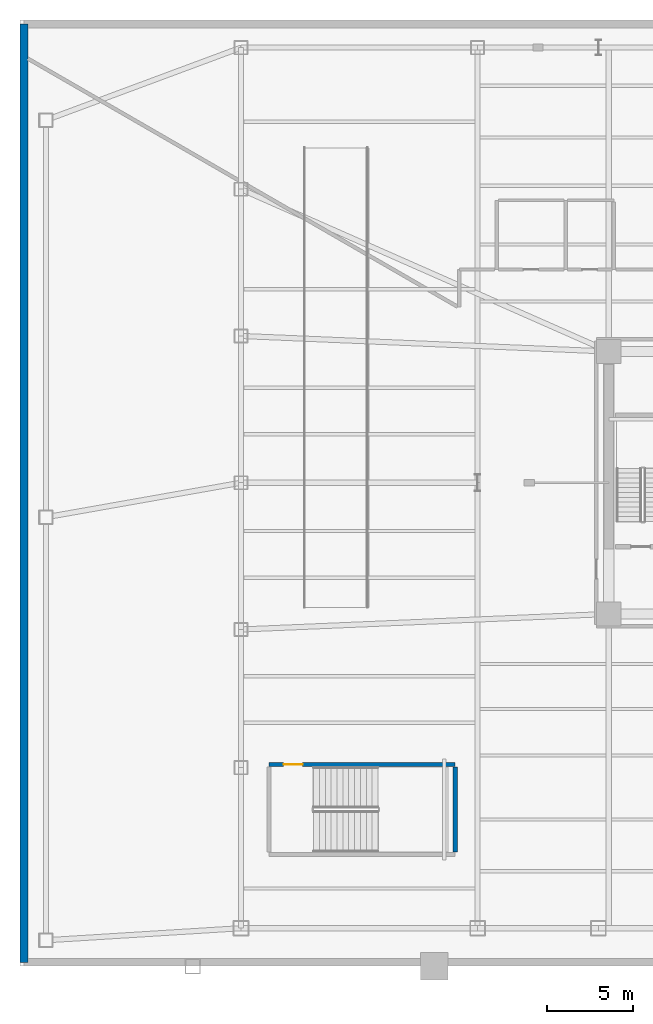
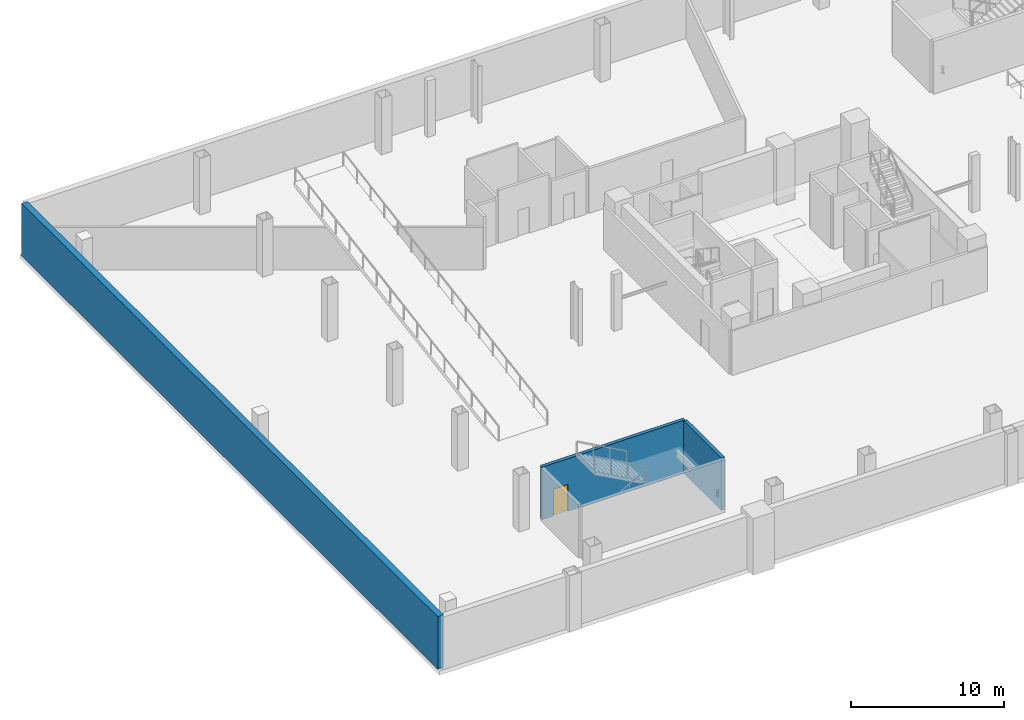
# One storey, part 5 of 14: 3 walls, 1 door, 1 opening.
"""IFC4 building model written with IfcOpenShell, lengths in metres."""

import ifcopenshell
import ifcopenshell.guid

model = None  # the IFC model being written
_history = None  # IfcOwnerHistory: only IFC2X3 demands one
_inside = {}  # id of a spatial element -> (the spatial element, [elements in it])
_under = {}  # id of a project, library or spatial element -> (it, [spatial elements below it])
_declared = {}  # id of a project -> (the project, [libraries it declares])
_typed = {}  # id of a type object -> (the type object, [elements of that type])
_made_of = {}  # id of a material, layer set ... -> (it, [elements and type objects made of it])


def new_model(schema):
    """Start an empty IFC model of exactly this schema.

    Asked for "IFC4X3", IfcOpenShell would pick the latest addendum, in which some entities
    have other attributes; the version numbers below select the first issue.
    IFC2X3 requires an IfcOwnerHistory on every rooted entity: one is made here for all.
    """
    global model, _history
    if schema == "IFC4X3":
        model = ifcopenshell.file(schema_version=(4, 3, 0, 0))
    else:
        model = ifcopenshell.file(schema=schema)
    _inside.clear()
    _under.clear()
    _declared.clear()
    _typed.clear()
    _made_of.clear()
    _history = None
    if model.schema == "IFC2X3":
        org = make("IfcOrganization", Name="unknown")
        user = make(
            "IfcPersonAndOrganization",
            ThePerson=make("IfcPerson", FamilyName="unknown"),
            TheOrganization=org,
        )
        app = make(
            "IfcApplication",
            ApplicationDeveloper=org,
            Version="unknown",
            ApplicationFullName="unknown",
            ApplicationIdentifier="unknown",
        )
        _history = make(
            "IfcOwnerHistory",
            OwningUser=user,
            OwningApplication=app,
            ChangeAction="ADDED",
            CreationDate=0,
        )
    return model


def make(cls, **values):
    """One entity of the class cls with the attributes given. An attribute that is None is left unset."""
    return model.create_entity(
        cls, **{name: value for name, value in values.items() if value is not None}
    )


def rooted(cls, **values):
    """An entity with a GlobalId (a new one), such as an element, a storey or a relation."""
    return make(cls, GlobalId=ifcopenshell.guid.new(), OwnerHistory=_history, **values)


def si_unit(unit_type, name, prefix=None):
    """IfcSIUnit, for example si_unit("LENGTHUNIT", "METRE", prefix="MILLI")."""
    return make("IfcSIUnit", UnitType=unit_type, Prefix=prefix, Name=name)


def assignment(units):
    """IfcUnitAssignment: the units of a project."""
    return None if units is None else make("IfcUnitAssignment", Units=units)


def point(xyz):
    """IfcCartesianPoint."""
    return None if xyz is None else make("IfcCartesianPoint", Coordinates=xyz)


def direction(xyz):
    """IfcDirection."""
    return None if xyz is None else make("IfcDirection", DirectionRatios=xyz)


def frame(location, z_axis=None, x_axis=None):
    """IfcAxis2Placement3D, a coordinate frame: its origin and axes. An axis left out is left unset."""
    return make(
        "IfcAxis2Placement3D",
        Location=point(location),
        Axis=direction(z_axis),
        RefDirection=direction(x_axis),
    )


def frame_2d(location, x_axis=None):
    """IfcAxis2Placement2D, a coordinate frame in the plane: its origin and x axis."""
    return make(
        "IfcAxis2Placement2D", Location=point(location), RefDirection=direction(x_axis)
    )


def origin():
    """The frame at (0, 0, 0) with its axes left unset."""
    return frame((0.0, 0.0, 0.0))


def place(relative_to, where):
    """IfcLocalPlacement: puts the frame where relative to a parent placement (None: the world)."""
    return make(
        "IfcLocalPlacement", PlacementRelTo=relative_to, RelativePlacement=where
    )


def context(
    kind, dimensions, precision=None, world=None, true_north=None, identifier=None
):
    """IfcGeometricRepresentationContext, for example the 3D "Model" context."""
    return make(
        "IfcGeometricRepresentationContext",
        ContextIdentifier=identifier,
        ContextType=kind,
        CoordinateSpaceDimension=dimensions,
        Precision=precision,
        WorldCoordinateSystem=world,
        TrueNorth=true_north,
    )


def subcontext(parent, identifier, kind, view, scale=None):
    """IfcGeometricRepresentationSubContext, for example "Body" below "Model"."""
    return make(
        "IfcGeometricRepresentationSubContext",
        ContextIdentifier=identifier,
        ContextType=kind,
        ParentContext=parent,
        TargetScale=scale,
        TargetView=view,
    )


def project(units=None, contexts=None):
    """IfcProject with its units and contexts."""
    return rooted(
        "IfcProject",
        Name="project",
        RepresentationContexts=contexts,
        UnitsInContext=assignment(units),
    )


def spatial(cls, under=None, at=None, **own):
    """A site, building, storey or space (cls), placed at a placement, below another one or the project."""
    s = rooted(cls, ObjectPlacement=at, **own)
    if under is not None:
        _under.setdefault(under.id(), (under, []))[1].append(s)
    return s


def profile(cls, at=None, kind="AREA", **sizes):
    """A parametric profile (cls). Its sizes go by their IFC names, for example OverallWidth=200.0."""
    return make(cls, ProfileType=kind, Position=at, **sizes)


def rectangle(**sizes):
    """IfcRectangleProfileDef."""
    return profile("IfcRectangleProfileDef", **sizes)


def extrude(swept, where, along, depth):
    """IfcExtrudedAreaSolid: the profile swept, set in the frame where, extruded along a direction by depth."""
    return make(
        "IfcExtrudedAreaSolid",
        SweptArea=swept,
        Position=where,
        ExtrudedDirection=direction(along),
        Depth=depth,
    )


def shape(context_of_items, identifier, shape_type, items):
    """IfcShapeRepresentation: the items that make up one representation, for example the "Body"."""
    return make(
        "IfcShapeRepresentation",
        ContextOfItems=context_of_items,
        RepresentationIdentifier=identifier,
        RepresentationType=shape_type,
        Items=items,
    )


def material(Name=None, Category=None):
    """IfcMaterial."""
    return make("IfcMaterial", Name=Name, Category=Category)


def layer(
    of_material, thickness, ventilated=None, Name=None, Category=None, Priority=None
):
    """IfcMaterialLayer: one layer of a wall or slab, of a material (None: an air gap)."""
    return make(
        "IfcMaterialLayer",
        Material=of_material,
        LayerThickness=thickness,
        IsVentilated=ventilated,
        Name=Name,
        Category=Category,
        Priority=Priority,
    )


def layer_set(layers, Name=None):
    """IfcMaterialLayerSet."""
    return make("IfcMaterialLayerSet", MaterialLayers=layers, LayerSetName=Name)


def made_of(thing, what):
    """Note that an element or type object is made of a material, layer set ...; save() writes the relation."""
    if what is not None:
        _made_of.setdefault(what.id(), (what, []))[1].append(thing)
    return thing


def type_object(cls, material=None, **own):
    """A type object (cls), such as IfcWallType, which elements share."""
    return made_of(rooted(cls, **own), material)


def element(
    cls,
    number,
    at=None,
    inside=None,
    cuts=None,
    type_object=None,
    material=None,
    context=None,
    identifier="Body",
    shape_type=None,
    held_by="IfcProductDefinitionShape",
    body=None,
    shapes=None,
    **own,
):
    """One element of the class cls, such as IfcWall. Its Tag is "e" and its number.

    at: its placement. inside: the storey or other place that contains it. cuts: it is an
    opening in that element (IfcRelVoidsElement). A single representation is given by context,
    identifier, shape_type and body (its items); several are given by shapes. held_by: the class
    of the entity that holds the representations. save() writes the other relations.
    """
    e = rooted(cls, Tag="e%d" % number, ObjectPlacement=at, **own)
    if body is not None:
        shapes = [shape(context, identifier, shape_type, body)]
    if shapes is not None:
        e.Representation = make(held_by, Representations=shapes)
    if inside is not None:
        _inside.setdefault(inside.id(), (inside, []))[1].append(e)
    if cuts is not None:
        rooted(
            "IfcRelVoidsElement", RelatingBuildingElement=cuts, RelatedOpeningElement=e
        )
    if type_object is not None:
        _typed.setdefault(type_object.id(), (type_object, []))[1].append(e)
    return made_of(e, material)


def fill(opening, filler):
    """IfcRelFillsElement: the door or window that sits in an opening."""
    return rooted(
        "IfcRelFillsElement",
        RelatingOpeningElement=opening,
        RelatedBuildingElement=filler,
    )


def aggregate(whole, parts):
    """IfcRelAggregates: a whole, such as a stair, and the parts it consists of."""
    return rooted("IfcRelAggregates", RelatingObject=whole, RelatedObjects=parts)


def save(model, path):
    """Write the relations noted so far, then the file.

    IfcRelAggregates (storeys below a building ...), IfcRelContainedInSpatialStructure (elements
    in a storey), IfcRelDefinesByType, IfcRelAssociatesMaterial and IfcRelDeclares: one each for
    every whole, place, type object, material and project.
    """
    for whole, parts in _under.values():
        aggregate(whole, parts)
    for where, things in _inside.values():
        rooted(
            "IfcRelContainedInSpatialStructure",
            RelatedElements=things,
            RelatingStructure=where,
        )
    for kind, things in _typed.values():
        rooted("IfcRelDefinesByType", RelatedObjects=things, RelatingType=kind)
    for what, things in _made_of.values():
        rooted("IfcRelAssociatesMaterial", RelatedObjects=things, RelatingMaterial=what)
    for by, libraries in _declared.values():
        rooted("IfcRelDeclares", RelatingContext=by, RelatedDefinitions=libraries)
    model.write(path)


model = new_model("IFC4")

# Units and contexts
model_context = context("Model", 3, precision=1e-05, world=origin(), true_north=direction((0.0, 1.0)))
body_context = subcontext(model_context, "Body", "Model", "MODEL_VIEW")
ifc_project = project(units=[si_unit("LENGTHUNIT", "METRE"), si_unit("AREAUNIT", "SQUARE_METRE"), si_unit("VOLUMEUNIT", "CUBIC_METRE"), si_unit("PLANEANGLEUNIT", "RADIAN"), si_unit("MASSUNIT", "GRAM", prefix="KILO")], contexts=[model_context])

# Site, building, storey
site_placement = place(None, origin())
site = spatial("IfcSite", under=ifc_project, at=site_placement, CompositionType="ELEMENT")
building_placement = place(site_placement, origin())
building = spatial("IfcBuilding", under=site, at=building_placement, Name="Tharavind Bronze Gate", CompositionType="ELEMENT")
storey_placement = place(building_placement, frame((0.0, 0.0, -4.5)))
storey = spatial("IfcBuildingStorey", under=building, at=storey_placement, Name="B01", CompositionType="ELEMENT", Elevation=-4.5)

# Wall
ifc_material_1 = material(Name="Concrete C50/60", Category="concrete")
ifc_layer_1 = layer(ifc_material_1, 0.449951171875)
ifc_layer_set_1 = layer_set([ifc_layer_1], Name="Concrete C50/60")
wall_type_1 = type_object("IfcWallType", Name="BASEMENT RETAINING WALL 450", PredefinedType="STANDARD", material=ifc_layer_set_1)
wall_1_placement = place(storey_placement, frame((-42.77490234375, 26.574951171875, 0.0), z_axis=(0.0, 0.0, 1.0), x_axis=(0.0, -1.0, 0.0)))
element("IfcWall", 1, at=wall_1_placement, inside=storey, type_object=wall_type_1, Name="B01 perimeter retaining wall 4", PredefinedType="STANDARD", context=body_context, shape_type="SweptSolid", body=[
    extrude(rectangle(XDim=54.349853515625, YDim=0.449951171875, at=frame_2d((27.1748046875, 0.0))), origin(), (0.0, 0.0, 1.0), 4.199951171875),
])

# Wall, opening, door
ifc_layer_2 = layer(ifc_material_1, 0.25)
ifc_layer_set_2 = layer_set([ifc_layer_2], Name="Concrete C50/60")
wall_type_2 = type_object("IfcWallType", Name="RC CORE SHEAR WALL 250", PredefinedType="SHEAR", material=ifc_layer_set_2)
wall_2_placement = place(storey_placement, frame((-28.580078125, -16.320068359375, 0.0), z_axis=(0.0, 0.0, 1.0), x_axis=(1.0, 0.0, 0.0)))
wall_2 = element("IfcWall", 2, at=wall_2_placement, inside=storey, type_object=wall_type_2, Name="B01 ST3 north wall", PredefinedType="SHEAR", context=body_context, shape_type="SweptSolid", body=[
    extrude(rectangle(XDim=10.780029296875, YDim=0.25, at=frame_2d((5.39013671875, 0.0))), origin(), (0.0, 0.0, 1.0), 4.199951171875),
])
opening_placement = place(wall_2_placement, frame((0.85009765625, 0.0, 0.0)))
opening = element("IfcOpeningElement", 3, at=opening_placement, cuts=wall_2, Name="Opening ID01", PredefinedType="OPENING", context=body_context, shape_type="SweptSolid", body=[
    extrude(rectangle(XDim=1.10009765625, YDim=2.14990234375, at=frame_2d((0.550048828125, 1.074951171875))), frame((0.0, 0.135, 0.0), z_axis=(0.0, -1.0, 0.0), x_axis=(1.0, 0.0, 0.0)), (0.0, 0.0, 1.0), 0.27),
])
ifc_material_2 = material(Name="Fire-Rated Steel", Category="steel")
door_type = type_object("IfcDoorType", Name="STAIR CORE FIRE DOOR 1100X2150", OperationType="SINGLE_SWING_LEFT", PredefinedType="DOOR", material=ifc_material_2)
door_placement = place(opening_placement, frame((1.10009765625, 0.0, 0.0), z_axis=(0.0, 0.0, 1.0), x_axis=(-1.0, 0.0, 0.0)))
door = element("IfcDoor", 4, at=door_placement, inside=storey, type_object=door_type, Name="B01 podium stair ST3 fire door", OperationType="SINGLE_SWING_LEFT", OverallHeight=2.14990234375, OverallWidth=1.10009765625, PredefinedType="DOOR", context=body_context, shape_type="SweptSolid", body=[
    extrude(rectangle(XDim=1.10009765625, YDim=2.14990234375, at=frame_2d((0.550048828125, 1.074951171875))), frame((0.0, 0.02490234375, 0.0), z_axis=(0.0, -1.0, 0.0), x_axis=(1.0, 0.0, 0.0)), (0.0, 0.0, 1.0), 0.050048828125),
])
fill(opening, door)

# Wall
wall_3_placement = place(storey_placement, frame((-17.800048828125, -21.3798828125, 0.0), z_axis=(0.0, 0.0, 1.0), x_axis=(0.0, 1.0, 0.0)))
element("IfcWall", 5, at=wall_3_placement, inside=storey, type_object=wall_type_2, Name="B01 ST3 east wall", PredefinedType="SHEAR", context=body_context, shape_type="SweptSolid", body=[
    extrude(rectangle(XDim=4.909912109375, YDim=0.25, at=frame_2d((2.455078125, 0.0))), origin(), (0.0, 0.0, 1.0), 4.199951171875),
])

save(model, "model.ifc")
